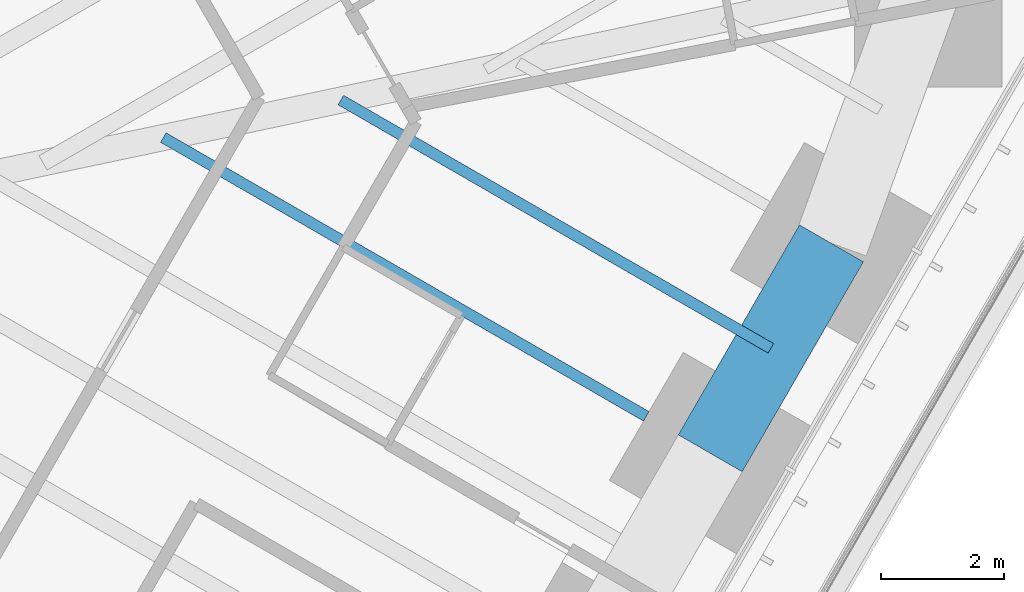
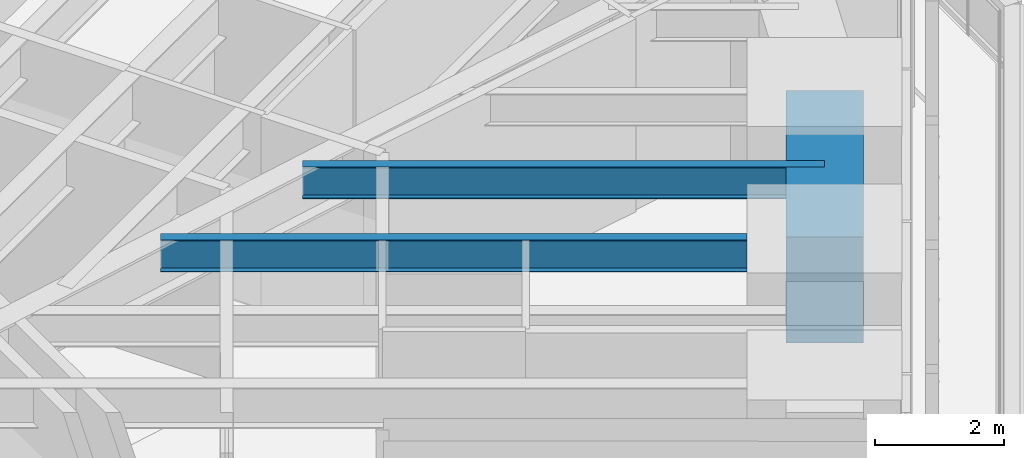
# One storey, part 112 of 238: 3 beams.
"""IFC4 building model written with IfcOpenShell, lengths in metres."""

from ifc_helpers import new_model, si_unit, direction, frame, origin, origin_2d, place, context, subcontext, project, spatial, rectangle, i_section, extrude, material, material_profile, profile_set, type_object, element, save


model = new_model("IFC4")

# Units and contexts
model_context = context("Model", 3, precision=1e-05, world=origin(), true_north=direction((0.0, 1.0)))
body_context = subcontext(model_context, "Body", "Model", "MODEL_VIEW")
ifc_project = project(units=[si_unit("LENGTHUNIT", "METRE"), si_unit("AREAUNIT", "SQUARE_METRE"), si_unit("VOLUMEUNIT", "CUBIC_METRE"), si_unit("PLANEANGLEUNIT", "RADIAN"), si_unit("MASSUNIT", "GRAM", prefix="KILO")], contexts=[model_context])

# Site, building, storey
site_placement = place(None, origin())
site = spatial("IfcSite", under=ifc_project, at=site_placement, CompositionType="ELEMENT")
building_placement = place(site_placement, origin())
building = spatial("IfcBuilding", under=site, at=building_placement, Name="Sandreach Pilgrim Tower", CompositionType="ELEMENT")
storey_placement = place(building_placement, frame((0.0, 0.0, 96.800048828125)))
storey = spatial("IfcBuildingStorey", under=building, at=storey_placement, Name="L23", CompositionType="ELEMENT", Elevation=96.800048828125)

# Beams
ifc_material_1 = material(Name="Steel ASTM A992 Grade 50", Category="steel")
ifc_material_profile_1 = material_profile(ifc_material_1, i_section(OverallWidth=0.1787109375, OverallDepth=0.60205078125, WebThickness=0.010986328125, FlangeThickness=0.014892578125, at=origin_2d()), Name="W24X62")
ifc_profile_set_1 = profile_set([ifc_material_profile_1], Name="Steel ASTM A992 Grade 50")
beam_type_1 = type_object("IfcBeamType", Name="Floor beam W24X62", PredefinedType="BEAM", material=ifc_profile_set_1)
beam_1_placement = place(storey_placement, frame((22.274658203125, -1.486572265625, 3.3388671875), z_axis=(-0.866020076177, 0.500009227573, 0.0), x_axis=(-0.500009227573, -0.866020076177, 0.0)))
element("IfcBeam", 1, at=beam_1_placement, inside=storey, type_object=beam_type_1, Name="BM L23 F15", PredefinedType="BEAM", context=body_context, shape_type="SweptSolid", body=[
    extrude(i_section(OverallWidth=0.1787109375, OverallDepth=0.60205078125, WebThickness=0.010986328125, FlangeThickness=0.014892578125, at=origin_2d()), origin(), (0.0, 0.0, 1.0), 9.064208984375),
])
beam_2_placement = place(storey_placement, frame((24.298828125, -0.380615234375, 3.3388671875), z_axis=(-0.866022864518, 0.500004398112, 0.0), x_axis=(-0.500004398112, -0.866022864518, 0.0)))
element("IfcBeam", 2, at=beam_2_placement, inside=storey, type_object=beam_type_1, Name="BM L23 FM14", PredefinedType="BEAM", context=body_context, shape_type="SweptSolid", body=[
    extrude(i_section(OverallWidth=0.1787109375, OverallDepth=0.60205078125, WebThickness=0.010986328125, FlangeThickness=0.014892578125, at=origin_2d()), origin(), (0.0, 0.0, 1.0), 8.0703125),
])
ifc_material_2 = material(Name="Concrete 10000 psi", Category="concrete")
ifc_material_profile_2 = material_profile(ifc_material_2, rectangle(XDim=1.199951171875, YDim=2.0, at=origin_2d()), Name="RC1200X2000")
ifc_profile_set_2 = profile_set([ifc_material_profile_2], Name="Concrete 10000 psi")
beam_type_2 = type_object("IfcBeamType", Name="Spandrel beam RC1200X2000", PredefinedType="SPANDREL", material=ifc_profile_set_2)
beam_3_placement = place(storey_placement, frame((25.283935546875, 1.325439453125, 2.639892578125), z_axis=(-0.49999779889, -0.866026674592, 0.0), x_axis=(0.866026674592, -0.49999779889, 0.0)))
element("IfcBeam", 3, at=beam_3_placement, inside=storey, type_object=beam_type_2, Name="BM L23 SP14", PredefinedType="SPANDREL", context=body_context, shape_type="SweptSolid", body=[
    extrude(rectangle(XDim=1.199951171875, YDim=2.0, at=origin_2d()), origin(), (0.0, 0.0, 1.0), 3.93994140625),
])

save(model, "model.ifc")
